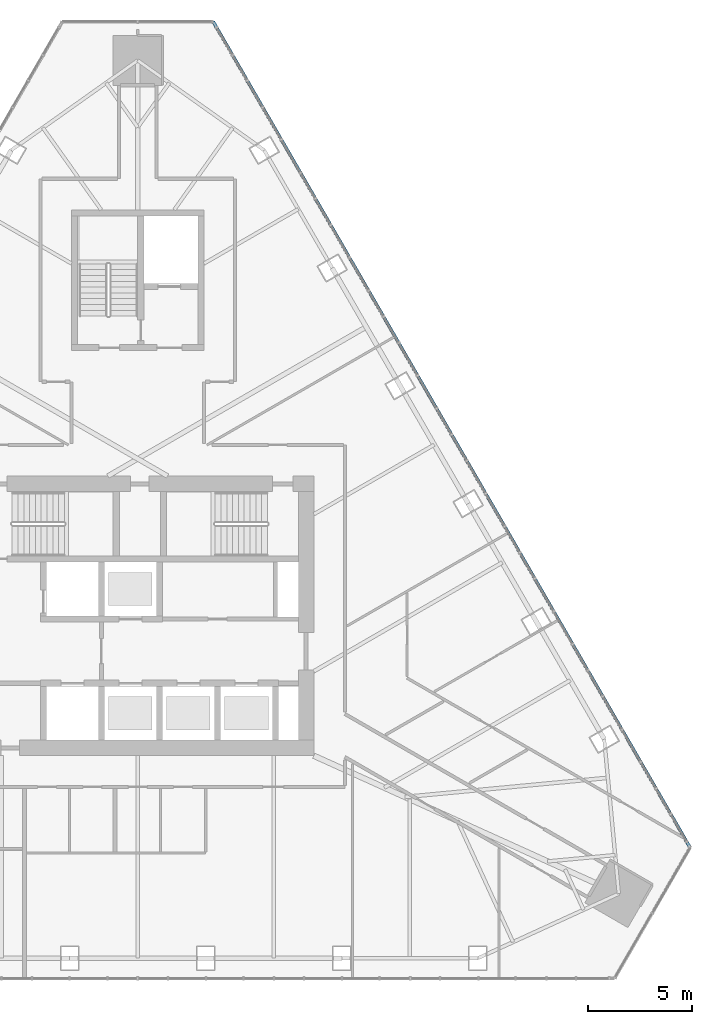
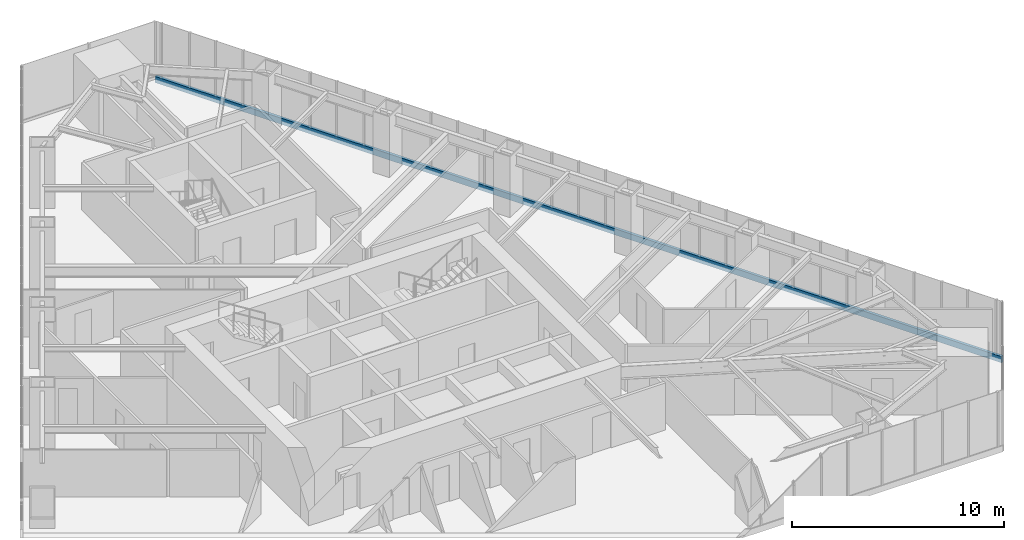
# One storey, part 9 of 21: 1 member, 1 element without a shape of its own.
"""IFC4 building model written with IfcOpenShell, lengths in metres."""

from ifc_helpers import new_model, si_unit, direction, frame, origin, origin_2d, place, context, subcontext, project, spatial, rectangle, extrude, material, layer, layer_set, material_profile, profile_set, type_object, element, aggregate, save


model = new_model("IFC4")

# Units and contexts
model_context = context("Model", 3, precision=1e-05, world=origin(), true_north=direction((0.0, 1.0)))
body_context = subcontext(model_context, "Body", "Model", "MODEL_VIEW")
ifc_project = project(units=[si_unit("LENGTHUNIT", "METRE"), si_unit("AREAUNIT", "SQUARE_METRE"), si_unit("VOLUMEUNIT", "CUBIC_METRE"), si_unit("PLANEANGLEUNIT", "RADIAN"), si_unit("MASSUNIT", "GRAM", prefix="KILO")], contexts=[model_context])

# Site, building, storey
site_placement = place(None, origin())
site = spatial("IfcSite", under=ifc_project, at=site_placement, CompositionType="ELEMENT")
building_placement = place(site_placement, origin())
building = spatial("IfcBuilding", under=site, at=building_placement, Name="Firuza Gate Tower and Library", CompositionType="ELEMENT")
storey_placement = place(building_placement, frame((0.0, 0.0, 274.10009765625)))
storey = spatial("IfcBuildingStorey", under=building, at=storey_placement, Name="L65", CompositionType="ELEMENT", Elevation=274.10009765625)

# Curtain wall, member
ifc_material_1 = material(Name="Aluminium 6063-T6", Category="aluminium")
ifc_layer = layer(ifc_material_1, 0.14990234375)
ifc_layer_set = layer_set([ifc_layer], Name="Unitised curtain wall, residences")
curtain_wall_type = type_object("IfcCurtainWallType", Name="Unitised curtain wall, residences", PredefinedType="NOTDEFINED", material=ifc_layer_set)
curtain_wall_placement = place(storey_placement, origin())
curtain_wall = element("IfcCurtainWall", 1, at=curtain_wall_placement, inside=storey, type_object=curtain_wall_type, Name="CW3 L65 E face", PredefinedType="NOTDEFINED")
ifc_material_2 = material(Name="Aluminium 6063-T6", Category="aluminium")
ifc_material_profile = material_profile(ifc_material_2, rectangle(XDim=0.14990234375, YDim=0.35009765625, at=origin_2d()))
ifc_profile_set = profile_set([ifc_material_profile], Name="Aluminium 6063-T6")
member_type = type_object("IfcMemberType", Name="Curtain wall transom 350x150", PredefinedType="USERDEFINED", material=ifc_profile_set)
member_placement = place(storey_placement, frame((101.665283203125, 63.811767578125, -0.025146484375), z_axis=(-0.499999832513, 0.866025500483, 0.0), x_axis=(-0.866025500483, -0.499999832513, 0.0)))
member = element("IfcMember", 2, at=member_placement, type_object=member_type, Name="Transom", ObjectType="TRANSOM", PredefinedType="USERDEFINED", context=body_context, shape_type="SweptSolid", body=[
    extrude(rectangle(XDim=0.14990234375, YDim=0.35009765625, at=origin_2d()), origin(), (0.0, 0.0, 1.0), 46.0439453125),
])
aggregate(curtain_wall, [member])

save(model, "model.ifc")
